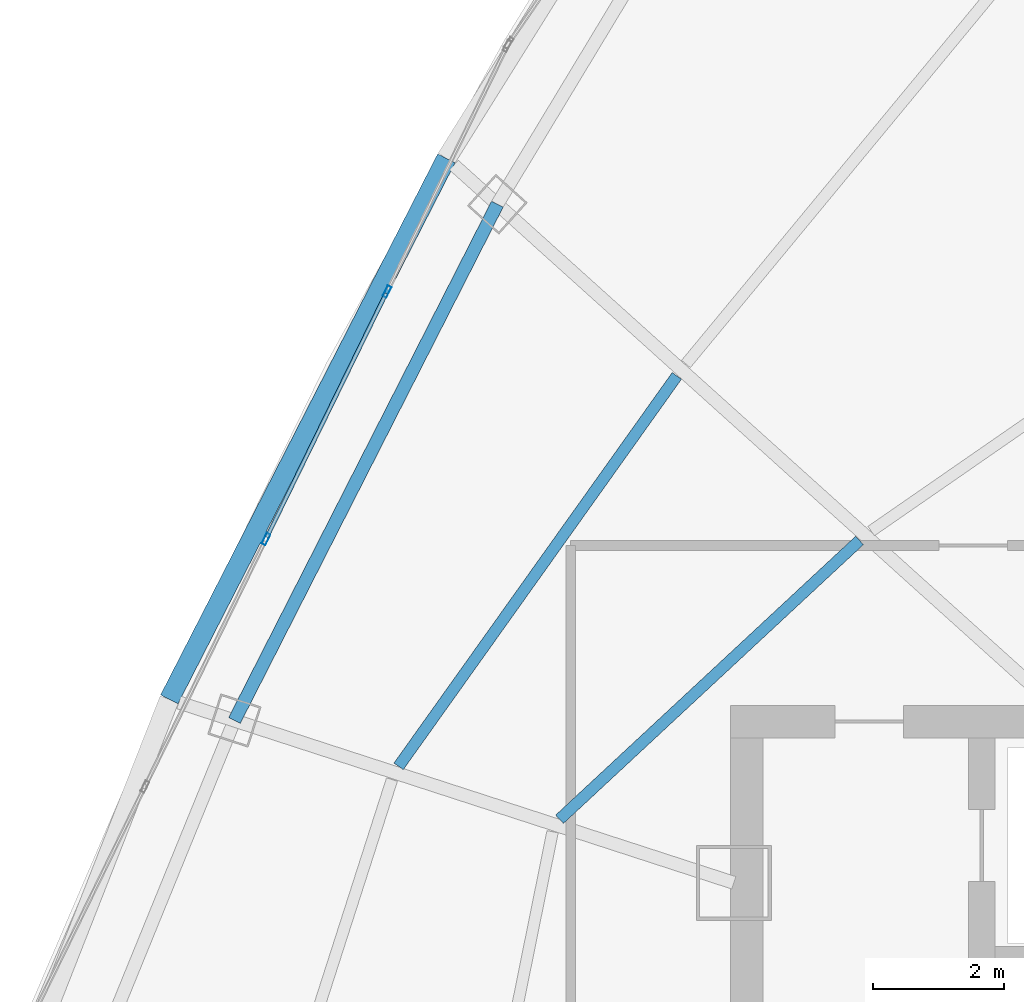
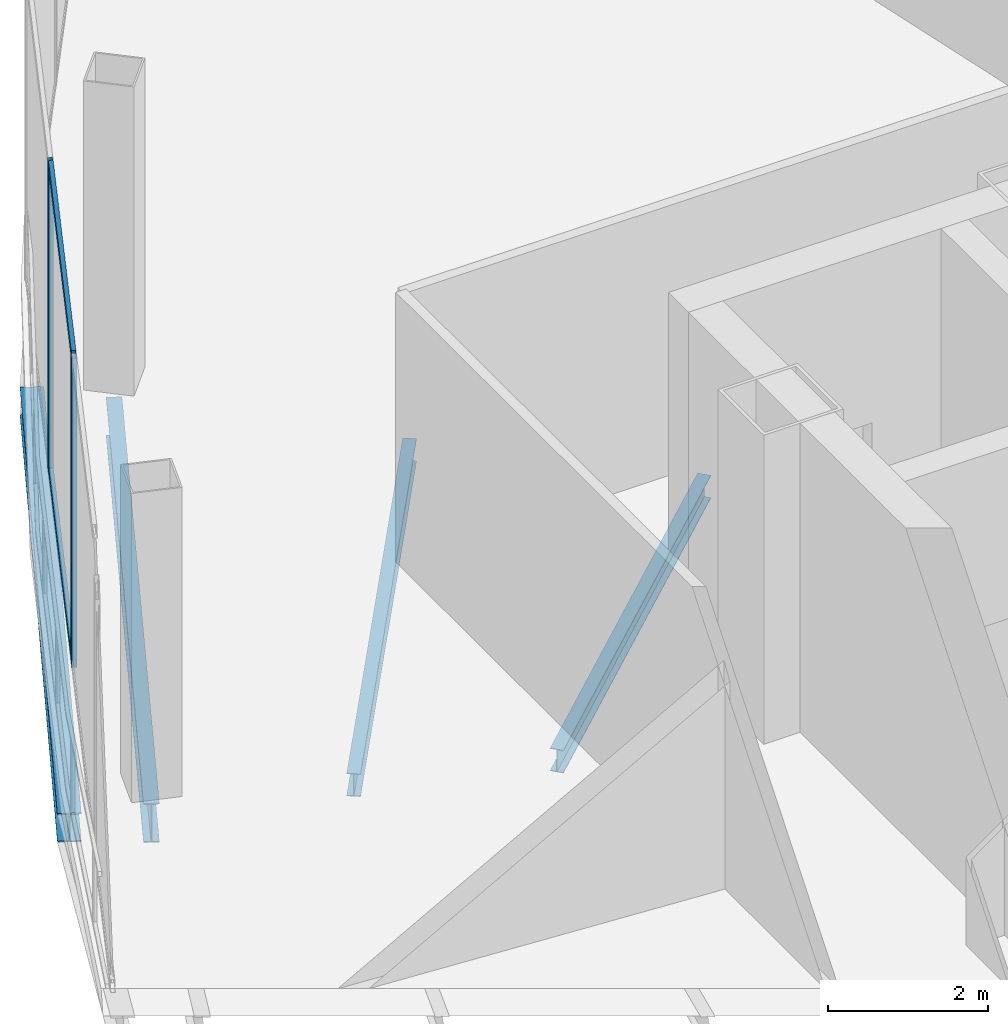
# One storey, part 10 of 33: 4 beams, 4 members, 1 element without a shape of its own.
"""IFC4 building model written with IfcOpenShell, lengths in metres."""

from ifc_helpers import new_model, si_unit, direction, frame, origin, origin_2d, place, context, subcontext, project, spatial, hollow_rectangle, i_section, extrude, source, transform, mapped, material, layer, layer_set, material_profile, profile_set, type_object, element, aggregate, save


model = new_model("IFC4")

# Units and contexts
model_context = context("Model", 3, precision=1e-05, world=origin(), true_north=direction((0.0, 1.0)))
body_context = subcontext(model_context, "Body", "Model", "MODEL_VIEW")
ifc_project = project(units=[si_unit("LENGTHUNIT", "METRE"), si_unit("AREAUNIT", "SQUARE_METRE"), si_unit("VOLUMEUNIT", "CUBIC_METRE"), si_unit("PLANEANGLEUNIT", "RADIAN"), si_unit("MASSUNIT", "GRAM", prefix="KILO"), si_unit("THERMODYNAMICTEMPERATUREUNIT", "KELVIN"), si_unit("POWERUNIT", "WATT")], contexts=[model_context])

# Site, building, storey
site_placement = place(None, origin())
site = spatial("IfcSite", under=ifc_project, at=site_placement, CompositionType="ELEMENT")
building_placement = place(site_placement, origin())
building = spatial("IfcBuilding", under=site, at=building_placement, Name="Yunzhuo Pagoda Commons", CompositionType="ELEMENT")
storey_placement = place(building_placement, frame((0.0, 0.0, 386.760009765625)))
storey = spatial("IfcBuildingStorey", under=building, at=storey_placement, Name="L96", CompositionType="ELEMENT", Elevation=386.760009765625)

# Beams
ifc_material_1 = material(Name="Structural steel Q355B", Category="steel")
ifc_material_profile_1 = material_profile(ifc_material_1, i_section(OverallWidth=0.199951171875, OverallDepth=0.60009765625, WebThickness=0.010986328125, FlangeThickness=0.01708984375, at=origin_2d()), Name="Structural steel Q355B")
ifc_profile_set_1 = profile_set([ifc_material_profile_1], Name="Structural steel Q355B")
beam_type_1 = type_object("IfcBeamType", Name="B-RG3 Beam HN 600x200x11x17", PredefinedType="BEAM", material=ifc_profile_set_1)
shared_shape_1 = source(origin(), body_context, "Body", "SweptSolid", [
    extrude(i_section(OverallWidth=0.199951171875, OverallDepth=0.60009765625, WebThickness=0.010986328125, FlangeThickness=0.01708984375, at=origin_2d()), origin(), (0.0, 0.0, 1.0), 8.87939453125),
])
beam_1_placement = place(storey_placement, frame((31.975341796875, 48.128662109375, -0.580078125), z_axis=(-0.453723535687, -0.891142498798, 0.0), x_axis=(0.891142498798, -0.453723535687, 0.0)))
element("IfcBeam", 1, at=beam_1_placement, inside=storey, type_object=beam_type_1, Name="L96 column-ring beam 10", PredefinedType="BEAM", context=body_context, shape_type="MappedRepresentation", body=[
    mapped(shared_shape_1, transform((0.0, 0.0, 0.0), scale=1.0)),
])
ifc_material_profile_2 = material_profile(ifc_material_1, i_section(OverallWidth=0.175048828125, OverallDepth=0.35009765625, WebThickness=0.007080078125, FlangeThickness=0.010986328125, at=origin_2d()), Name="Structural steel Q355B")
ifc_profile_set_2 = profile_set([ifc_material_profile_2], Name="Structural steel Q355B")
beam_type_2 = type_object("IfcBeamType", Name="B-JS2 Joist HN 350x175x7x11", PredefinedType="JOIST", material=ifc_profile_set_2)
shared_shape_2 = source(origin(), body_context, "Body", "SweptSolid", [
    extrude(i_section(OverallWidth=0.175048828125, OverallDepth=0.35009765625, WebThickness=0.007080078125, FlangeThickness=0.010986328125, at=origin_2d()), origin(), (0.0, 0.0, 1.0), 6.277099609375),
])
beam_2_placement = place(storey_placement, frame((37.526611328125, 42.97607421875, -0.455078125), z_axis=(-0.73244154109, -0.68082992655, 0.0), x_axis=(0.68082992655, -0.73244154109, 0.0)))
element("IfcBeam", 2, at=beam_2_placement, inside=storey, type_object=beam_type_2, Name="L96 composite ring joist 1.10", PredefinedType="JOIST", context=body_context, shape_type="MappedRepresentation", body=[
    mapped(shared_shape_2, transform((0.0, 0.0, 0.0), scale=1.0)),
])
shared_shape_3 = source(origin(), body_context, "Body", "SweptSolid", [
    extrude(i_section(OverallWidth=0.175048828125, OverallDepth=0.35009765625, WebThickness=0.007080078125, FlangeThickness=0.010986328125, at=origin_2d()), origin(), (0.0, 0.0, 1.0), 7.347900390625),
])
beam_3_placement = place(storey_placement, frame((34.726318359375, 45.497802734375, -0.455078125), z_axis=(-0.580294898948, -0.814406428177, 0.0), x_axis=(0.814406428177, -0.580294898948, 0.0)))
element("IfcBeam", 3, at=beam_3_placement, inside=storey, type_object=beam_type_2, Name="L96 composite ring joist 2.10", PredefinedType="JOIST", context=body_context, shape_type="MappedRepresentation", body=[
    mapped(shared_shape_3, transform((0.0, 0.0, 0.0), scale=1.0)),
])
ifc_material_profile_3 = material_profile(ifc_material_1, i_section(OverallWidth=0.300048828125, OverallDepth=0.43994140625, WebThickness=0.010986328125, FlangeThickness=0.01806640625, at=origin_2d()), Name="Structural steel Q355B")
ifc_profile_set_3 = profile_set([ifc_material_profile_3], Name="Structural steel Q355B")
beam_type_3 = type_object("IfcBeamType", Name="B-SP2 Beam HM 440x300x11x18", PredefinedType="BEAM", material=ifc_profile_set_3)
shared_shape_4 = source(origin(), body_context, "Body", "SweptSolid", [
    extrude(i_section(OverallWidth=0.300048828125, OverallDepth=0.43994140625, WebThickness=0.010986328125, FlangeThickness=0.01806640625, at=origin_2d()), origin(), (0.0, 0.0, 1.0), 9.3154296875),
])
beam_4_placement = place(storey_placement, frame((31.195068359375, 48.831298828125, -0.5), z_axis=(-0.455914353887, -0.89002365245, 0.0), x_axis=(0.89002365245, -0.455914353887, 0.0)))
element("IfcBeam", 4, at=beam_4_placement, inside=storey, type_object=beam_type_3, Name="L96 facade edge spandrel beam F3.2", PredefinedType="BEAM", context=body_context, shape_type="MappedRepresentation", body=[
    mapped(shared_shape_4, transform((0.0, 0.0, 0.0), scale=1.0)),
])

# Curtain wall, members
ifc_material_2 = material(Name="Anodized aluminium 6063-T6", Category="aluminium")
ifc_layer = layer(ifc_material_2, 0.179931640625)
ifc_layer_set = layer_set([ifc_layer], Name="Anodized aluminium 6063-T6")
curtain_wall_type = type_object("IfcCurtainWallType", Name="CW-CRN Crown Gable Glazing System", PredefinedType="NOTDEFINED", material=ifc_layer_set)
curtain_wall_placement = place(storey_placement, origin())
curtain_wall = element("IfcCurtainWall", 5, at=curtain_wall_placement, inside=storey, type_object=curtain_wall_type, Name="L96 curtain wall CW-L96-CRNF3G2", PredefinedType="NOTDEFINED")
ifc_material_profile_4 = material_profile(ifc_material_2, hollow_rectangle(XDim=0.06494140625, YDim=0.179931640625, WallThickness=0.00390625, at=origin_2d()), Name="Anodized aluminium 6063-T6")
ifc_profile_set_4 = profile_set([ifc_material_profile_4], Name="Anodized aluminium 6063-T6")
member_type_1 = type_object("IfcMemberType", Name="CW-CRN-M Mullion RHS 180x65x4", PredefinedType="MULLION", material=ifc_profile_set_4)
shared_shape_5 = source(origin(), body_context, "Body", "SweptSolid", [
    extrude(hollow_rectangle(XDim=0.06494140625, YDim=0.179931640625, WallThickness=0.00390625, at=origin_2d()), origin(), (0.0, 0.0, 1.0), 4.72021484375),
])
member_1_placement = place(storey_placement, frame((30.28515625, 46.789306640625, 0.0), z_axis=(0.0, 0.0, 1.0), x_axis=(0.898299261226, -0.439384156839, 0.0)))
member_1 = element("IfcMember", 6, at=member_1_placement, type_object=member_type_1, Name="CW mullion 2", PredefinedType="MULLION", context=body_context, shape_type="MappedRepresentation", body=[
    mapped(shared_shape_5, transform((0.0, 0.0, 0.0), scale=1.0)),
])
member_2_placement = place(storey_placement, frame((28.429931640625, 42.995849609375, 0.0), z_axis=(0.0, 0.0, 1.0), x_axis=(0.898299261226, -0.439384156839, 0.0)))
member_2 = element("IfcMember", 7, at=member_2_placement, type_object=member_type_1, Name="CW mullion 3", PredefinedType="MULLION", context=body_context, shape_type="MappedRepresentation", body=[
    mapped(shared_shape_5, transform((0.0, 0.0, 0.0), scale=1.0)),
])
ifc_material_profile_5 = material_profile(ifc_material_2, hollow_rectangle(XDim=0.06005859375, YDim=0.139892578125, WallThickness=0.00341796875, at=origin_2d()), Name="Anodized aluminium 6063-T6")
ifc_profile_set_5 = profile_set([ifc_material_profile_5], Name="Anodized aluminium 6063-T6")
member_type_2 = type_object("IfcMemberType", Name="CW-CRN-T Transom RHS 140x60x3.5", PredefinedType="USERDEFINED", material=ifc_profile_set_5)
shared_shape_6 = source(origin(), body_context, "Body", "SweptSolid", [
    extrude(hollow_rectangle(XDim=0.06005859375, YDim=0.139892578125, WallThickness=0.00341796875, at=origin_2d()), origin(), (0.0, 0.0, 1.0), 4.157470703125),
])
member_3_placement = place(storey_placement, frame((30.270751953125, 46.760009765625, 0.030029296875), z_axis=(-0.439421816361, -0.898280839886, 0.0), x_axis=(0.898280839886, -0.439421816361, 0.0)))
member_3 = element("IfcMember", 8, at=member_3_placement, type_object=member_type_2, Name="CW transom 2.1", ObjectType="TRANSOM", PredefinedType="USERDEFINED", context=body_context, shape_type="MappedRepresentation", body=[
    mapped(shared_shape_6, transform((0.0, 0.0, 0.0), scale=1.0)),
])
member_4_placement = place(storey_placement, frame((30.270751953125, 46.760009765625, 4.68994140625), z_axis=(-0.439421816361, -0.898280839886, 0.0), x_axis=(0.898280839886, -0.439421816361, 0.0)))
member_4 = element("IfcMember", 9, at=member_4_placement, type_object=member_type_2, Name="CW transom 2.2", ObjectType="TRANSOM", PredefinedType="USERDEFINED", context=body_context, shape_type="MappedRepresentation", body=[
    mapped(shared_shape_6, transform((0.0, 0.0, 0.0), scale=1.0)),
])
aggregate(curtain_wall, [member_1, member_2, member_3, member_4])

save(model, "model.ifc")
